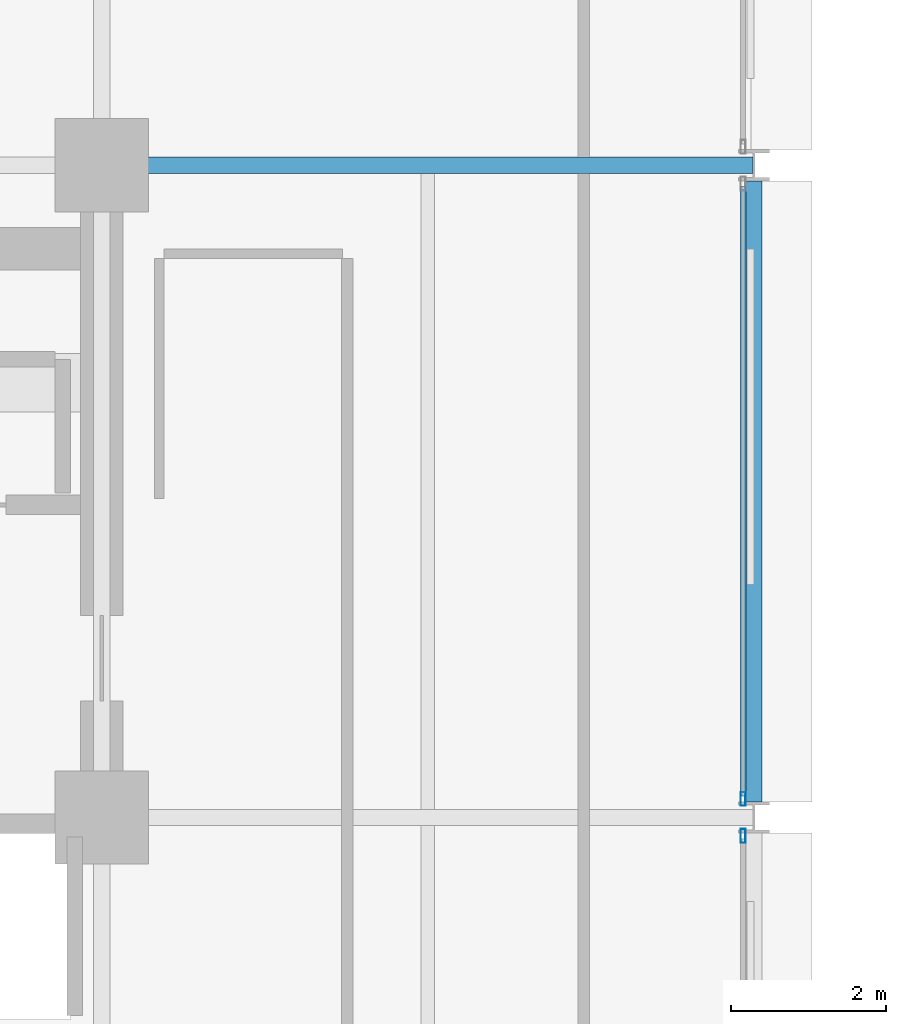
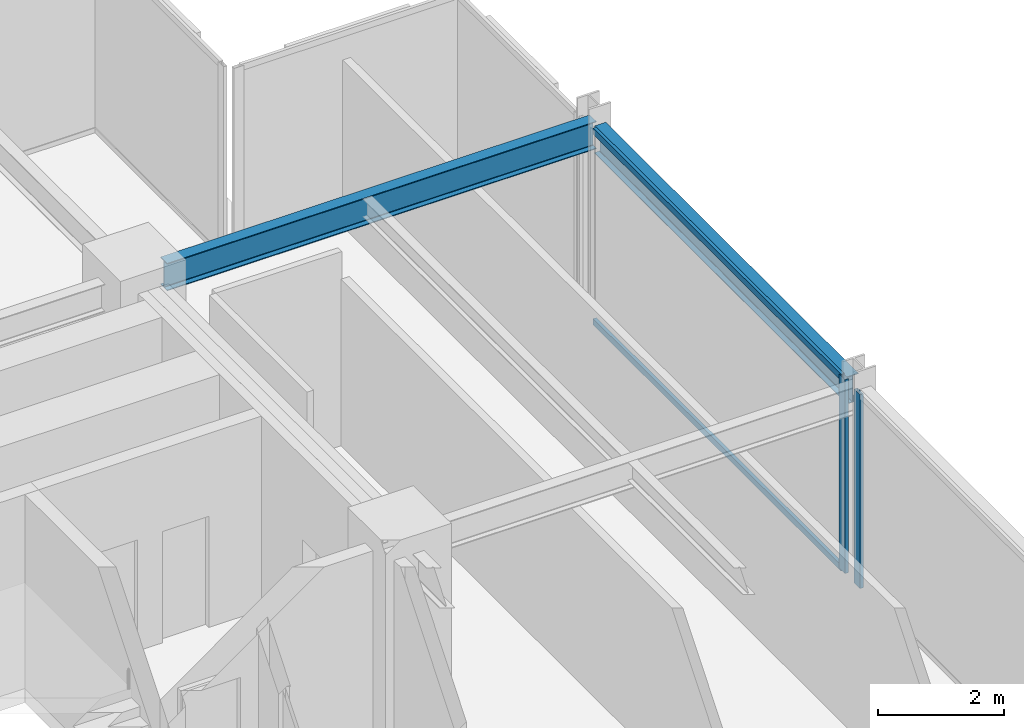
# One storey, part 27 of 40: 4 members, 2 beams, 2 elements without a shape of their own.
"""IFC4 building model written with IfcOpenShell, lengths in metres."""

import ifcopenshell
import ifcopenshell.guid

model = None  # the IFC model being written
_history = None  # IfcOwnerHistory: only IFC2X3 demands one
_inside = {}  # id of a spatial element -> (the spatial element, [elements in it])
_under = {}  # id of a project, library or spatial element -> (it, [spatial elements below it])
_declared = {}  # id of a project -> (the project, [libraries it declares])
_typed = {}  # id of a type object -> (the type object, [elements of that type])
_made_of = {}  # id of a material, layer set ... -> (it, [elements and type objects made of it])


def new_model(schema):
    """Start an empty IFC model of exactly this schema.

    Asked for "IFC4X3", IfcOpenShell would pick the latest addendum, in which some entities
    have other attributes; the version numbers below select the first issue.
    IFC2X3 requires an IfcOwnerHistory on every rooted entity: one is made here for all.
    """
    global model, _history
    if schema == "IFC4X3":
        model = ifcopenshell.file(schema_version=(4, 3, 0, 0))
    else:
        model = ifcopenshell.file(schema=schema)
    _inside.clear()
    _under.clear()
    _declared.clear()
    _typed.clear()
    _made_of.clear()
    _history = None
    if model.schema == "IFC2X3":
        org = make("IfcOrganization", Name="unknown")
        user = make(
            "IfcPersonAndOrganization",
            ThePerson=make("IfcPerson", FamilyName="unknown"),
            TheOrganization=org,
        )
        app = make(
            "IfcApplication",
            ApplicationDeveloper=org,
            Version="unknown",
            ApplicationFullName="unknown",
            ApplicationIdentifier="unknown",
        )
        _history = make(
            "IfcOwnerHistory",
            OwningUser=user,
            OwningApplication=app,
            ChangeAction="ADDED",
            CreationDate=0,
        )
    return model


def make(cls, **values):
    """One entity of the class cls with the attributes given. An attribute that is None is left unset."""
    return model.create_entity(
        cls, **{name: value for name, value in values.items() if value is not None}
    )


def rooted(cls, **values):
    """An entity with a GlobalId (a new one), such as an element, a storey or a relation."""
    return make(cls, GlobalId=ifcopenshell.guid.new(), OwnerHistory=_history, **values)


def si_unit(unit_type, name, prefix=None):
    """IfcSIUnit, for example si_unit("LENGTHUNIT", "METRE", prefix="MILLI")."""
    return make("IfcSIUnit", UnitType=unit_type, Prefix=prefix, Name=name)


def assignment(units):
    """IfcUnitAssignment: the units of a project."""
    return None if units is None else make("IfcUnitAssignment", Units=units)


def point(xyz):
    """IfcCartesianPoint."""
    return None if xyz is None else make("IfcCartesianPoint", Coordinates=xyz)


def direction(xyz):
    """IfcDirection."""
    return None if xyz is None else make("IfcDirection", DirectionRatios=xyz)


def frame(location, z_axis=None, x_axis=None):
    """IfcAxis2Placement3D, a coordinate frame: its origin and axes. An axis left out is left unset."""
    return make(
        "IfcAxis2Placement3D",
        Location=point(location),
        Axis=direction(z_axis),
        RefDirection=direction(x_axis),
    )


def frame_2d(location, x_axis=None):
    """IfcAxis2Placement2D, a coordinate frame in the plane: its origin and x axis."""
    return make(
        "IfcAxis2Placement2D", Location=point(location), RefDirection=direction(x_axis)
    )


def origin():
    """The frame at (0, 0, 0) with its axes left unset."""
    return frame((0.0, 0.0, 0.0))


def origin_2d():
    """The frame at (0, 0) in the plane with its x axis left unset."""
    return frame_2d((0.0, 0.0))


def place(relative_to, where):
    """IfcLocalPlacement: puts the frame where relative to a parent placement (None: the world)."""
    return make(
        "IfcLocalPlacement", PlacementRelTo=relative_to, RelativePlacement=where
    )


def context(
    kind, dimensions, precision=None, world=None, true_north=None, identifier=None
):
    """IfcGeometricRepresentationContext, for example the 3D "Model" context."""
    return make(
        "IfcGeometricRepresentationContext",
        ContextIdentifier=identifier,
        ContextType=kind,
        CoordinateSpaceDimension=dimensions,
        Precision=precision,
        WorldCoordinateSystem=world,
        TrueNorth=true_north,
    )


def subcontext(parent, identifier, kind, view, scale=None):
    """IfcGeometricRepresentationSubContext, for example "Body" below "Model"."""
    return make(
        "IfcGeometricRepresentationSubContext",
        ContextIdentifier=identifier,
        ContextType=kind,
        ParentContext=parent,
        TargetScale=scale,
        TargetView=view,
    )


def project(units=None, contexts=None):
    """IfcProject with its units and contexts."""
    return rooted(
        "IfcProject",
        Name="project",
        RepresentationContexts=contexts,
        UnitsInContext=assignment(units),
    )


def spatial(cls, under=None, at=None, **own):
    """A site, building, storey or space (cls), placed at a placement, below another one or the project."""
    s = rooted(cls, ObjectPlacement=at, **own)
    if under is not None:
        _under.setdefault(under.id(), (under, []))[1].append(s)
    return s


def profile(cls, at=None, kind="AREA", **sizes):
    """A parametric profile (cls). Its sizes go by their IFC names, for example OverallWidth=200.0."""
    return make(cls, ProfileType=kind, Position=at, **sizes)


def hollow_rectangle(**sizes):
    """IfcRectangleHollowProfileDef."""
    return profile("IfcRectangleHollowProfileDef", **sizes)


def i_section(**sizes):
    """IfcIShapeProfileDef."""
    return profile("IfcIShapeProfileDef", **sizes)


def extrude(swept, where, along, depth):
    """IfcExtrudedAreaSolid: the profile swept, set in the frame where, extruded along a direction by depth."""
    return make(
        "IfcExtrudedAreaSolid",
        SweptArea=swept,
        Position=where,
        ExtrudedDirection=direction(along),
        Depth=depth,
    )


def shape(context_of_items, identifier, shape_type, items):
    """IfcShapeRepresentation: the items that make up one representation, for example the "Body"."""
    return make(
        "IfcShapeRepresentation",
        ContextOfItems=context_of_items,
        RepresentationIdentifier=identifier,
        RepresentationType=shape_type,
        Items=items,
    )


def material(Name=None, Category=None):
    """IfcMaterial."""
    return make("IfcMaterial", Name=Name, Category=Category)


def layer(
    of_material, thickness, ventilated=None, Name=None, Category=None, Priority=None
):
    """IfcMaterialLayer: one layer of a wall or slab, of a material (None: an air gap)."""
    return make(
        "IfcMaterialLayer",
        Material=of_material,
        LayerThickness=thickness,
        IsVentilated=ventilated,
        Name=Name,
        Category=Category,
        Priority=Priority,
    )


def layer_set(layers, Name=None):
    """IfcMaterialLayerSet."""
    return make("IfcMaterialLayerSet", MaterialLayers=layers, LayerSetName=Name)


def material_profile(
    of_material, cross_section, Name=None, Category=None, Priority=None
):
    """IfcMaterialProfile: a cross section and its material."""
    return make(
        "IfcMaterialProfile",
        Name=Name,
        Material=of_material,
        Profile=cross_section,
        Priority=Priority,
        Category=Category,
    )


def profile_set(profiles, Name=None, composite=None):
    """IfcMaterialProfileSet."""
    return make(
        "IfcMaterialProfileSet",
        Name=Name,
        MaterialProfiles=profiles,
        CompositeProfile=composite,
    )


def made_of(thing, what):
    """Note that an element or type object is made of a material, layer set ...; save() writes the relation."""
    if what is not None:
        _made_of.setdefault(what.id(), (what, []))[1].append(thing)
    return thing


def type_object(cls, material=None, **own):
    """A type object (cls), such as IfcWallType, which elements share."""
    return made_of(rooted(cls, **own), material)


def element(
    cls,
    number,
    at=None,
    inside=None,
    cuts=None,
    type_object=None,
    material=None,
    context=None,
    identifier="Body",
    shape_type=None,
    held_by="IfcProductDefinitionShape",
    body=None,
    shapes=None,
    **own,
):
    """One element of the class cls, such as IfcWall. Its Tag is "e" and its number.

    at: its placement. inside: the storey or other place that contains it. cuts: it is an
    opening in that element (IfcRelVoidsElement). A single representation is given by context,
    identifier, shape_type and body (its items); several are given by shapes. held_by: the class
    of the entity that holds the representations. save() writes the other relations.
    """
    e = rooted(cls, Tag="e%d" % number, ObjectPlacement=at, **own)
    if body is not None:
        shapes = [shape(context, identifier, shape_type, body)]
    if shapes is not None:
        e.Representation = make(held_by, Representations=shapes)
    if inside is not None:
        _inside.setdefault(inside.id(), (inside, []))[1].append(e)
    if cuts is not None:
        rooted(
            "IfcRelVoidsElement", RelatingBuildingElement=cuts, RelatedOpeningElement=e
        )
    if type_object is not None:
        _typed.setdefault(type_object.id(), (type_object, []))[1].append(e)
    return made_of(e, material)


def aggregate(whole, parts):
    """IfcRelAggregates: a whole, such as a stair, and the parts it consists of."""
    return rooted("IfcRelAggregates", RelatingObject=whole, RelatedObjects=parts)


def save(model, path):
    """Write the relations noted so far, then the file.

    IfcRelAggregates (storeys below a building ...), IfcRelContainedInSpatialStructure (elements
    in a storey), IfcRelDefinesByType, IfcRelAssociatesMaterial and IfcRelDeclares: one each for
    every whole, place, type object, material and project.
    """
    for whole, parts in _under.values():
        aggregate(whole, parts)
    for where, things in _inside.values():
        rooted(
            "IfcRelContainedInSpatialStructure",
            RelatedElements=things,
            RelatingStructure=where,
        )
    for kind, things in _typed.values():
        rooted("IfcRelDefinesByType", RelatedObjects=things, RelatingType=kind)
    for what, things in _made_of.values():
        rooted("IfcRelAssociatesMaterial", RelatedObjects=things, RelatingMaterial=what)
    for by, libraries in _declared.values():
        rooted("IfcRelDeclares", RelatingContext=by, RelatedDefinitions=libraries)
    model.write(path)


model = new_model("IFC4")

# Units and contexts
model_context = context("Model", 3, precision=1e-05, world=origin(), true_north=direction((0.0, 1.0)))
body_context = subcontext(model_context, "Body", "Model", "MODEL_VIEW")
ifc_project = project(units=[si_unit("LENGTHUNIT", "METRE"), si_unit("AREAUNIT", "SQUARE_METRE"), si_unit("VOLUMEUNIT", "CUBIC_METRE"), si_unit("PLANEANGLEUNIT", "RADIAN"), si_unit("MASSUNIT", "GRAM", prefix="KILO")], contexts=[model_context])

# Site, building, storey
site_placement = place(None, origin())
site = spatial("IfcSite", under=ifc_project, at=site_placement, CompositionType="ELEMENT")
building_placement = place(site_placement, origin())
building = spatial("IfcBuilding", under=site, at=building_placement, Name="Nerrivon Quay Data Exchange", CompositionType="ELEMENT")
storey_placement = place(building_placement, frame((0.0, 0.0, 109.0)))
storey = spatial("IfcBuildingStorey", under=building, at=storey_placement, Name="L25", CompositionType="ELEMENT", Elevation=109.0)

# Beams
ifc_material_1 = material(Name="Steel Grade 350", Category="steel")
ifc_material_profile_1 = material_profile(ifc_material_1, i_section(OverallWidth=0.208984375, OverallDepth=0.532958984375, WebThickness=0.01025390625, FlangeThickness=0.015625, FilletRadius=0.013916015625, at=origin_2d()), Name="530UB92.4")
ifc_profile_set_1 = profile_set([ifc_material_profile_1], Name="Steel Grade 350")
beam_type_1 = type_object("IfcBeamType", Name="BM-G3-530UB92", PredefinedType="BEAM", material=ifc_profile_set_1)
beam_1_placement = place(storey_placement, frame((17.340087890625, 42.0, 3.4833984375), z_axis=(1.0, 0.0, 0.0), x_axis=(0.0, 1.0, 0.0)))
element("IfcBeam", 1, at=beam_1_placement, inside=storey, type_object=beam_type_1, Name="L25 EW Girder Y=42.0 (16.8..25.2)", PredefinedType="BEAM", context=body_context, shape_type="SweptSolid", body=[
    extrude(i_section(OverallWidth=0.208984375, OverallDepth=0.532958984375, WebThickness=0.01025390625, FlangeThickness=0.015625, FilletRadius=0.013916015625, at=origin_2d()), origin(), (0.0, 0.0, 1.0), 7.847412109375),
])
ifc_material_profile_2 = material_profile(ifc_material_1, i_section(OverallWidth=0.208984375, OverallDepth=0.528076171875, WebThickness=0.009521484375, FlangeThickness=0.01318359375, FilletRadius=0.013916015625, at=origin_2d()), Name="530UB82.0")
ifc_profile_set_2 = profile_set([ifc_material_profile_2], Name="Steel Grade 350")
beam_type_2 = type_object("IfcBeamType", Name="BM-G4-530UB82", PredefinedType="BEAM", material=ifc_profile_set_2)
beam_2_placement = place(storey_placement, frame((25.199951171875, 33.800048828125, 3.486083984375), z_axis=(0.0, 1.0, 0.0), x_axis=(-1.0, 0.0, 0.0)))
element("IfcBeam", 2, at=beam_2_placement, inside=storey, type_object=beam_type_2, Name="L25 NS Girder X=25.2 (33.6..42.0)", PredefinedType="BEAM", context=body_context, shape_type="SweptSolid", body=[
    extrude(i_section(OverallWidth=0.208984375, OverallDepth=0.528076171875, WebThickness=0.009521484375, FlangeThickness=0.01318359375, FilletRadius=0.013916015625, at=origin_2d()), origin(), (0.0, 0.0, 1.0), 8.0),
])

# Curtain wall, member
ifc_material_2 = material(Name="Anodised aluminium 6063-T6", Category="aluminium")
ifc_layer = layer(ifc_material_2, 0.2099609375)
ifc_layer_set = layer_set([ifc_layer], Name="Anodised aluminium 6063-T6")
curtain_wall_type = type_object("IfcCurtainWallType", Name="CW-SYS-02", PredefinedType="NOTDEFINED", material=ifc_layer_set)
curtain_wall_1_placement = place(storey_placement, origin())
curtain_wall_1 = element("IfcCurtainWall", 3, at=curtain_wall_1_placement, inside=storey, type_object=curtain_wall_type, Name="L25 Unitised Curtain Wall 30", PredefinedType="NOTDEFINED")
ifc_material_profile_3 = material_profile(ifc_material_2, hollow_rectangle(XDim=0.06494140625, YDim=0.179931640625, WallThickness=0.00341796875, at=origin_2d()), Name="ALU-MULL-180x65")
ifc_profile_set_3 = profile_set([ifc_material_profile_3], Name="Anodised aluminium 6063-T6")
member_type_1 = type_object("IfcMemberType", Name="CWM-180x65", PredefinedType="MULLION", material=ifc_profile_set_3)
member_1_placement = place(storey_placement, frame((25.06005859375, 33.83740234375, 0.0), z_axis=(0.0, 0.0, 1.0), x_axis=(1.0, 0.0, 0.0)))
member_1 = element("IfcMember", 4, at=member_1_placement, type_object=member_type_1, Name="CW02 mullion 2", PredefinedType="MULLION", context=body_context, shape_type="SweptSolid", body=[
    extrude(hollow_rectangle(XDim=0.06494140625, YDim=0.179931640625, WallThickness=0.00341796875, at=origin_2d()), origin(), (0.0, 0.0, 1.0), 3.75),
])

curtain_wall_2_placement = place(storey_placement, origin())
curtain_wall_2 = element("IfcCurtainWall", 5, at=curtain_wall_2_placement, inside=storey, type_object=curtain_wall_type, Name="L25 Unitised Curtain Wall 31", PredefinedType="NOTDEFINED")
member_2_placement = place(storey_placement, frame((25.06005859375, 33.362548828125, 0.0), z_axis=(0.0, 0.0, 1.0), x_axis=(1.0, 0.0, 0.0)))
member_2 = element("IfcMember", 6, at=member_2_placement, type_object=member_type_1, Name="CW02 mullion 1", PredefinedType="MULLION", context=body_context, shape_type="SweptSolid", body=[
    extrude(hollow_rectangle(XDim=0.06494140625, YDim=0.179931640625, WallThickness=0.00341796875, at=origin_2d()), origin(), (0.0, 0.0, 1.0), 3.75),
])
aggregate(curtain_wall_2, [member_2])

# Member
ifc_material_profile_4 = material_profile(ifc_material_2, hollow_rectangle(XDim=0.06005859375, YDim=0.1201171875, WallThickness=0.003173828125, at=origin_2d()), Name="ALU-TRAN-120x60")
ifc_profile_set_4 = profile_set([ifc_material_profile_4], Name="Anodised aluminium 6063-T6")
member_type_2 = type_object("IfcMemberType", Name="CWT-120x60", PredefinedType="USERDEFINED", material=ifc_profile_set_4)
member_3_placement = place(storey_placement, frame((25.06005859375, 41.72509765625, 0.032470703125), z_axis=(0.0, -1.0, 0.0), x_axis=(1.0, 0.0, 0.0)))
member_3 = element("IfcMember", 7, at=member_3_placement, type_object=member_type_2, Name="CW02 transom 1.1", ObjectType="TRANSOM", PredefinedType="USERDEFINED", context=body_context, shape_type="SweptSolid", body=[
    extrude(hollow_rectangle(XDim=0.06005859375, YDim=0.1201171875, WallThickness=0.003173828125, at=origin_2d()), origin(), (0.0, 0.0, 1.0), 7.85009765625),
])

member_4_placement = place(storey_placement, frame((25.06005859375, 41.72509765625, 3.717529296875), z_axis=(0.0, -1.0, 0.0), x_axis=(1.0, 0.0, 0.0)))
member_4 = element("IfcMember", 8, at=member_4_placement, type_object=member_type_2, Name="CW02 transom 1.2", ObjectType="TRANSOM", PredefinedType="USERDEFINED", context=body_context, shape_type="SweptSolid", body=[
    extrude(hollow_rectangle(XDim=0.06005859375, YDim=0.1201171875, WallThickness=0.003173828125, at=origin_2d()), origin(), (0.0, 0.0, 1.0), 7.85009765625),
])

aggregate(curtain_wall_1, [member_1, member_3, member_4])

save(model, "model.ifc")
